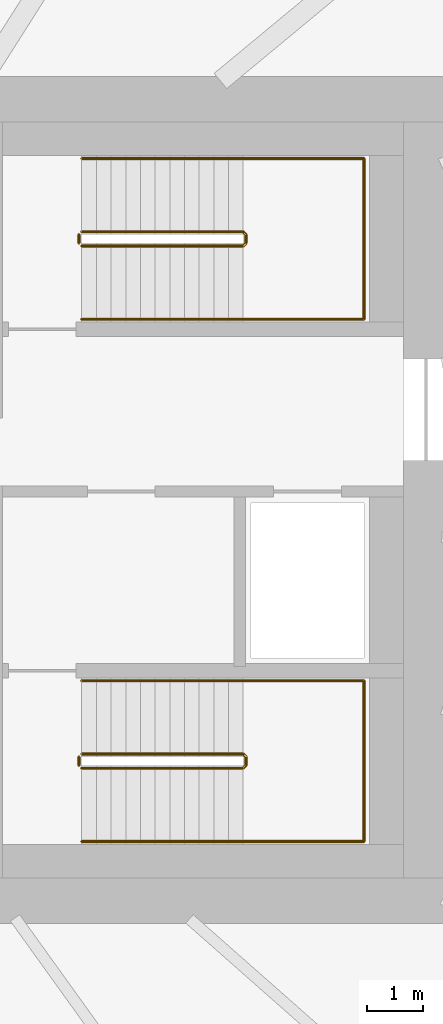
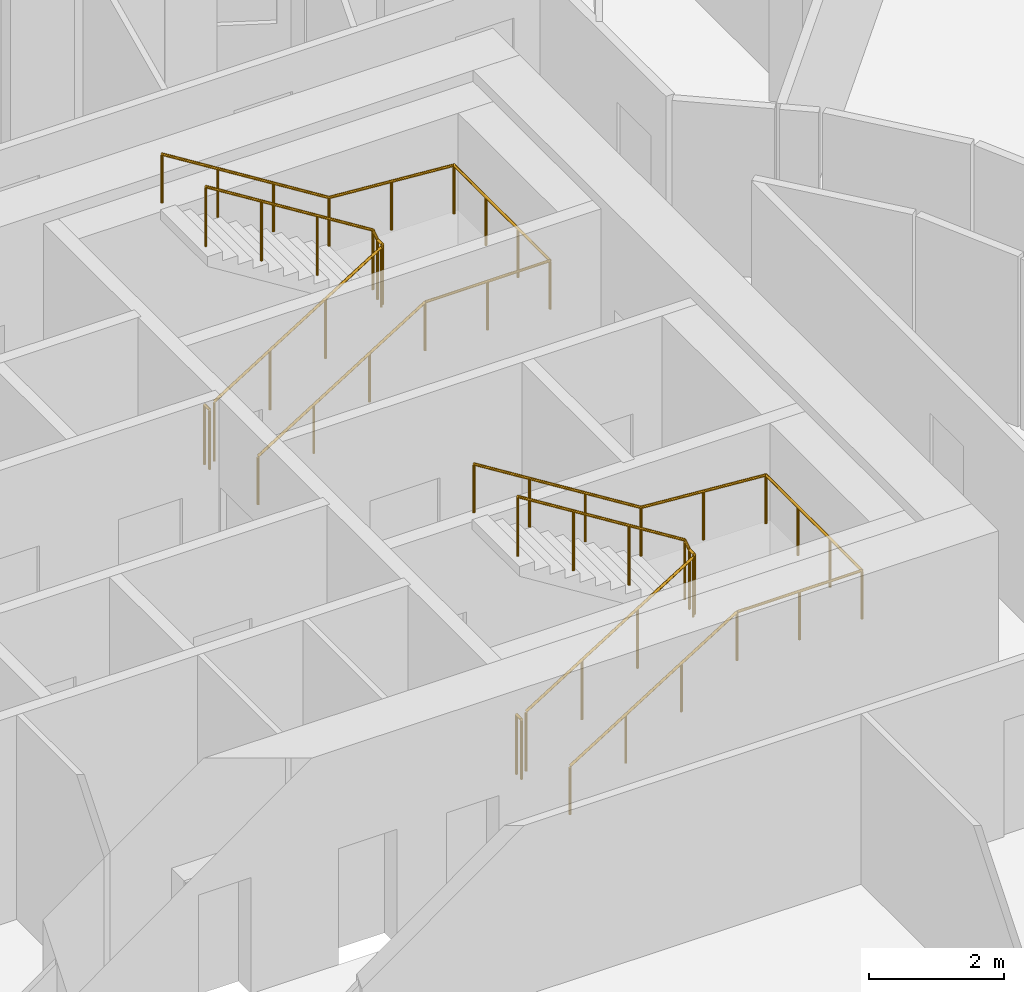
# One storey, part 13 of 13: 6 railings.
"""IFC4 building model written with IfcOpenShell, lengths in metres."""

from ifc_helpers import new_model, si_unit, direction, frame, origin, origin_2d, place, context, subcontext, project, spatial, circle, extrude, material, type_object, element, save


model = new_model("IFC4")

# Units and contexts
model_context = context("Model", 3, precision=1e-05, world=origin(), true_north=direction((0.0, 1.0)))
body_context = subcontext(model_context, "Body", "Model", "MODEL_VIEW")
ifc_project = project(units=[si_unit("LENGTHUNIT", "METRE"), si_unit("AREAUNIT", "SQUARE_METRE"), si_unit("VOLUMEUNIT", "CUBIC_METRE"), si_unit("PLANEANGLEUNIT", "RADIAN"), si_unit("MASSUNIT", "GRAM", prefix="KILO")], contexts=[model_context])

# Site, building, storey
site_placement = place(None, origin())
site = spatial("IfcSite", under=ifc_project, at=site_placement, CompositionType="ELEMENT")
building_placement = place(site_placement, origin())
building = spatial("IfcBuilding", under=site, at=building_placement, Name="Rubra Terraces Tower", CompositionType="ELEMENT")
storey_placement = place(building_placement, frame((0.0, 0.0, 233.10009765625)))
storey = spatial("IfcBuildingStorey", under=building, at=storey_placement, Name="L57", CompositionType="ELEMENT", Elevation=233.10009765625)

# Railings
ifc_material = material(Name="Stainless steel", Category="steel")
railing_type_1 = type_object("IfcRailingType", Name="Core stair guard 1100", PredefinedType="GUARDRAIL", material=ifc_material)
railing_1_placement = place(storey_placement, frame((6.5, 9.0, 0.162353515625)))
element("IfcRailing", 1, at=railing_1_placement, inside=storey, type_object=railing_type_1, Name="L57 stair S3 guard 1", PredefinedType="GUARDRAIL", context=body_context, shape_type="SweptSolid", body=[
    extrude(circle(Radius=0.02392578125, at=origin_2d()), frame((0.0, 0.0, 1.076171875), z_axis=(0.847994237388, 0.0, 0.530005446535), x_axis=(0.0, 1.0, 0.0)), (0.0, 0.0, 1.0), 3.372802734375),
    extrude(circle(Radius=0.02392578125, at=origin_2d()), frame((2.860107421875, 0.0, 2.86376953125), z_axis=(0.705375805398, 0.708833529934, 0.0), x_axis=(-0.708833529934, 0.705375805398, 0.0)), (0.0, 0.0, 1.0), 0.070556640625),
    extrude(circle(Radius=0.02392578125, at=origin_2d()), frame((2.909912109375, 0.050048828125, 2.86376953125), z_axis=(0.0, 1.0, 0.0), x_axis=(-1.0, 0.0, 0.0)), (0.0, 0.0, 1.0), 0.14990234375),
    extrude(circle(Radius=0.02392578125, at=origin_2d()), frame((2.909912109375, 0.199951171875, 2.86376953125), z_axis=(-0.281314826061, 0.282693820306, 0.917031173188), x_axis=(-0.708833529934, -0.705375805398, 0.0)), (0.0, 0.0, 1.0), 0.177001953125),
    extrude(circle(Radius=0.02392578125, at=origin_2d()), frame((2.860107421875, 0.25, 3.02587890625), z_axis=(-0.847994237388, 0.0, 0.530005446535), x_axis=(0.0, -1.0, 0.0)), (0.0, 0.0, 1.0), 3.372802734375),
    extrude(circle(Radius=0.02099609375, at=origin_2d()), origin(), (0.0, 0.0, 1.0), 1.052001953125),
    extrude(circle(Radius=0.02099609375, at=origin_2d()), frame((0.953369140625, 0.0, 0.595947265625)), (0.0, 0.0, 1.0), 1.052001953125),
    extrude(circle(Radius=0.02099609375, at=origin_2d()), frame((1.90673828125, 0.0, 1.191650390625)), (0.0, 0.0, 1.0), 1.052001953125),
    extrude(circle(Radius=0.02099609375, at=origin_2d()), frame((2.860107421875, 0.0, 1.78759765625)), (0.0, 0.0, 1.0), 1.052001953125),
    extrude(circle(Radius=0.02099609375, at=origin_2d()), frame((2.909912109375, 0.050048828125, 1.78759765625)), (0.0, 0.0, 1.0), 1.052001953125),
    extrude(circle(Radius=0.02099609375, at=origin_2d()), frame((2.909912109375, 0.199951171875, 1.78759765625)), (0.0, 0.0, 1.0), 1.052001953125),
    extrude(circle(Radius=0.02099609375, at=origin_2d()), frame((2.860107421875, 0.25, 1.949951171875)), (0.0, 0.0, 1.0), 1.052001953125),
    extrude(circle(Radius=0.02099609375, at=origin_2d()), frame((1.90673828125, 0.25, 2.5458984375)), (0.0, 0.0, 1.0), 1.052001953125),
    extrude(circle(Radius=0.02099609375, at=origin_2d()), frame((0.953369140625, 0.25, 3.1416015625)), (0.0, 0.0, 1.0), 1.052001953125),
    extrude(circle(Radius=0.02099609375, at=origin_2d()), frame((0.0, 0.25, 3.737548828125)), (0.0, 0.0, 1.0), 1.052001953125),
])
railing_2_placement = place(storey_placement, frame((6.449951171875, 9.050048828125, 0.0)))
element("IfcRailing", 2, at=railing_2_placement, inside=storey, type_object=railing_type_1, Name="L57 stair S3 guard 2", PredefinedType="GUARDRAIL", context=body_context, shape_type="SweptSolid", body=[
    extrude(circle(Radius=0.02392578125, at=origin_2d()), frame((0.0, 0.0, 1.076171875), z_axis=(0.0, 1.0, 0.0), x_axis=(-1.0, 0.0, 0.0)), (0.0, 0.0, 1.0), 0.14990234375),
    extrude(circle(Radius=0.02099609375, at=origin_2d()), origin(), (0.0, 0.0, 1.0), 1.052001953125),
    extrude(circle(Radius=0.02099609375, at=origin_2d()), frame((0.0, 0.14990234375, 0.0)), (0.0, 0.0, 1.0), 1.052001953125),
])
railing_3_placement = place(storey_placement, frame((6.5, -0.25, 0.162353515625)))
element("IfcRailing", 3, at=railing_3_placement, inside=storey, type_object=railing_type_1, Name="L57 stair S4 guard 1", PredefinedType="GUARDRAIL", context=body_context, shape_type="SweptSolid", body=[
    extrude(circle(Radius=0.02392578125, at=origin_2d()), frame((0.0, 0.0, 1.076171875), z_axis=(0.847994237388, 0.0, 0.530005446535), x_axis=(0.0, 1.0, 0.0)), (0.0, 0.0, 1.0), 3.372802734375),
    extrude(circle(Radius=0.02392578125, at=origin_2d()), frame((2.860107421875, 0.0, 2.86376953125), z_axis=(0.705375805398, 0.708833529934, 0.0), x_axis=(-0.708833529934, 0.705375805398, 0.0)), (0.0, 0.0, 1.0), 0.070556640625),
    extrude(circle(Radius=0.02392578125, at=origin_2d()), frame((2.909912109375, 0.050048828125, 2.86376953125), z_axis=(0.0, 1.0, 0.0), x_axis=(-1.0, 0.0, 0.0)), (0.0, 0.0, 1.0), 0.14990234375),
    extrude(circle(Radius=0.02392578125, at=origin_2d()), frame((2.909912109375, 0.199951171875, 2.86376953125), z_axis=(-0.281314826061, 0.282693820306, 0.917031173188), x_axis=(-0.708833529934, -0.705375805398, 0.0)), (0.0, 0.0, 1.0), 0.177001953125),
    extrude(circle(Radius=0.02392578125, at=origin_2d()), frame((2.860107421875, 0.25, 3.02587890625), z_axis=(-0.847994237388, 0.0, 0.530005446535), x_axis=(0.0, -1.0, 0.0)), (0.0, 0.0, 1.0), 3.372802734375),
    extrude(circle(Radius=0.02099609375, at=origin_2d()), origin(), (0.0, 0.0, 1.0), 1.052001953125),
    extrude(circle(Radius=0.02099609375, at=origin_2d()), frame((0.953369140625, 0.0, 0.595947265625)), (0.0, 0.0, 1.0), 1.052001953125),
    extrude(circle(Radius=0.02099609375, at=origin_2d()), frame((1.90673828125, 0.0, 1.191650390625)), (0.0, 0.0, 1.0), 1.052001953125),
    extrude(circle(Radius=0.02099609375, at=origin_2d()), frame((2.860107421875, 0.0, 1.78759765625)), (0.0, 0.0, 1.0), 1.052001953125),
    extrude(circle(Radius=0.02099609375, at=origin_2d()), frame((2.909912109375, 0.050048828125, 1.78759765625)), (0.0, 0.0, 1.0), 1.052001953125),
    extrude(circle(Radius=0.02099609375, at=origin_2d()), frame((2.909912109375, 0.199951171875, 1.78759765625)), (0.0, 0.0, 1.0), 1.052001953125),
    extrude(circle(Radius=0.02099609375, at=origin_2d()), frame((2.860107421875, 0.25, 1.949951171875)), (0.0, 0.0, 1.0), 1.052001953125),
    extrude(circle(Radius=0.02099609375, at=origin_2d()), frame((1.90673828125, 0.25, 2.5458984375)), (0.0, 0.0, 1.0), 1.052001953125),
    extrude(circle(Radius=0.02099609375, at=origin_2d()), frame((0.953369140625, 0.25, 3.1416015625)), (0.0, 0.0, 1.0), 1.052001953125),
    extrude(circle(Radius=0.02099609375, at=origin_2d()), frame((0.0, 0.25, 3.737548828125)), (0.0, 0.0, 1.0), 1.052001953125),
])
railing_4_placement = place(storey_placement, frame((6.449951171875, -0.199951171875, 0.0)))
element("IfcRailing", 4, at=railing_4_placement, inside=storey, type_object=railing_type_1, Name="L57 stair S4 guard 2", PredefinedType="GUARDRAIL", context=body_context, shape_type="SweptSolid", body=[
    extrude(circle(Radius=0.02392578125, at=origin_2d()), frame((0.0, 0.0, 1.076171875), z_axis=(0.0, 1.0, 0.0), x_axis=(-1.0, 0.0, 0.0)), (0.0, 0.0, 1.0), 0.14990234375),
    extrude(circle(Radius=0.02099609375, at=origin_2d()), origin(), (0.0, 0.0, 1.0), 1.052001953125),
    extrude(circle(Radius=0.02099609375, at=origin_2d()), frame((0.0, 0.14990234375, 0.0)), (0.0, 0.0, 1.0), 1.052001953125),
])
railing_type_2 = type_object("IfcRailingType", Name="Core stair handrail 900", PredefinedType="HANDRAIL", material=ifc_material)
railing_5_placement = place(storey_placement, frame((6.5, 7.699951171875, 0.162353515625)))
element("IfcRailing", 5, at=railing_5_placement, inside=storey, type_object=railing_type_2, Name="L57 stair S3 handrail 1", PredefinedType="HANDRAIL", context=body_context, shape_type="SweptSolid", body=[
    extrude(circle(Radius=0.02392578125, at=origin_2d()), frame((0.0, 0.0, 0.8759765625), z_axis=(0.847994237388, 0.0, 0.530005446535), x_axis=(0.0, 1.0, 0.0)), (0.0, 0.0, 1.0), 3.372802734375),
    extrude(circle(Radius=0.02392578125, at=origin_2d()), frame((2.860107421875, 0.0, 2.66357421875), z_axis=(1.0, 0.0, 0.0), x_axis=(0.0, 1.0, 0.0)), (0.0, 0.0, 1.0), 2.139892578125),
    extrude(circle(Radius=0.02392578125, at=origin_2d()), frame((5.0, 0.0, 2.66357421875), z_axis=(0.0, 1.0, 0.0), x_axis=(-1.0, 0.0, 0.0)), (0.0, 0.0, 1.0), 2.85009765625),
    extrude(circle(Radius=0.02392578125, at=origin_2d()), frame((5.0, 2.85009765625, 2.66357421875), z_axis=(-0.9971342424, 0.0, 0.075652512401), x_axis=(0.0, -1.0, 0.0)), (0.0, 0.0, 1.0), 2.14599609375),
    extrude(circle(Radius=0.02392578125, at=origin_2d()), frame((2.860107421875, 2.85009765625, 2.82568359375), z_axis=(-0.847994237388, 0.0, 0.530005446535), x_axis=(0.0, -1.0, 0.0)), (0.0, 0.0, 1.0), 3.372802734375),
    extrude(circle(Radius=0.02099609375, at=origin_2d()), origin(), (0.0, 0.0, 1.0), 0.851806640625),
    extrude(circle(Radius=0.02099609375, at=origin_2d()), frame((0.953369140625, 0.0, 0.595947265625)), (0.0, 0.0, 1.0), 0.851806640625),
    extrude(circle(Radius=0.02099609375, at=origin_2d()), frame((1.90673828125, 0.0, 1.191650390625)), (0.0, 0.0, 1.0), 0.851806640625),
    extrude(circle(Radius=0.02099609375, at=origin_2d()), frame((2.860107421875, 0.0, 1.78759765625)), (0.0, 0.0, 1.0), 0.851806640625),
    extrude(circle(Radius=0.02099609375, at=origin_2d()), frame((3.93017578125, 0.0, 1.78759765625)), (0.0, 0.0, 1.0), 0.851806640625),
    extrude(circle(Radius=0.02099609375, at=origin_2d()), frame((5.0, 0.0, 1.78759765625)), (0.0, 0.0, 1.0), 0.851806640625),
    extrude(circle(Radius=0.02099609375, at=origin_2d()), frame((5.0, 0.949951171875, 1.78759765625)), (0.0, 0.0, 1.0), 0.851806640625),
    extrude(circle(Radius=0.02099609375, at=origin_2d()), frame((5.0, 1.900146484375, 1.78759765625)), (0.0, 0.0, 1.0), 0.851806640625),
    extrude(circle(Radius=0.02099609375, at=origin_2d()), frame((5.0, 2.85009765625, 1.78759765625)), (0.0, 0.0, 1.0), 0.851806640625),
    extrude(circle(Radius=0.02099609375, at=origin_2d()), frame((3.93017578125, 2.85009765625, 1.86865234375)), (0.0, 0.0, 1.0), 0.851806640625),
    extrude(circle(Radius=0.02099609375, at=origin_2d()), frame((2.860107421875, 2.85009765625, 1.949951171875)), (0.0, 0.0, 1.0), 0.851806640625),
    extrude(circle(Radius=0.02099609375, at=origin_2d()), frame((1.90673828125, 2.85009765625, 2.5458984375)), (0.0, 0.0, 1.0), 0.851806640625),
    extrude(circle(Radius=0.02099609375, at=origin_2d()), frame((0.953369140625, 2.85009765625, 3.1416015625)), (0.0, 0.0, 1.0), 0.851806640625),
    extrude(circle(Radius=0.02099609375, at=origin_2d()), frame((0.0, 2.85009765625, 3.737548828125)), (0.0, 0.0, 1.0), 0.851806640625),
])
railing_6_placement = place(storey_placement, frame((6.5, -1.550048828125, 0.162353515625)))
element("IfcRailing", 6, at=railing_6_placement, inside=storey, type_object=railing_type_2, Name="L57 stair S4 handrail 1", PredefinedType="HANDRAIL", context=body_context, shape_type="SweptSolid", body=[
    extrude(circle(Radius=0.02392578125, at=origin_2d()), frame((0.0, 0.0, 0.8759765625), z_axis=(0.847994237388, 0.0, 0.530005446535), x_axis=(0.0, 1.0, 0.0)), (0.0, 0.0, 1.0), 3.372802734375),
    extrude(circle(Radius=0.02392578125, at=origin_2d()), frame((2.860107421875, 0.0, 2.66357421875), z_axis=(1.0, 0.0, 0.0), x_axis=(0.0, 1.0, 0.0)), (0.0, 0.0, 1.0), 2.139892578125),
    extrude(circle(Radius=0.02392578125, at=origin_2d()), frame((5.0, 0.0, 2.66357421875), z_axis=(0.0, 1.0, 0.0), x_axis=(-1.0, 0.0, 0.0)), (0.0, 0.0, 1.0), 2.85009765625),
    extrude(circle(Radius=0.02392578125, at=origin_2d()), frame((5.0, 2.85009765625, 2.66357421875), z_axis=(-0.9971342424, 0.0, 0.075652512401), x_axis=(0.0, -1.0, 0.0)), (0.0, 0.0, 1.0), 2.14599609375),
    extrude(circle(Radius=0.02392578125, at=origin_2d()), frame((2.860107421875, 2.85009765625, 2.82568359375), z_axis=(-0.847994237388, 0.0, 0.530005446535), x_axis=(0.0, -1.0, 0.0)), (0.0, 0.0, 1.0), 3.372802734375),
    extrude(circle(Radius=0.02099609375, at=origin_2d()), origin(), (0.0, 0.0, 1.0), 0.851806640625),
    extrude(circle(Radius=0.02099609375, at=origin_2d()), frame((0.953369140625, 0.0, 0.595947265625)), (0.0, 0.0, 1.0), 0.851806640625),
    extrude(circle(Radius=0.02099609375, at=origin_2d()), frame((1.90673828125, 0.0, 1.191650390625)), (0.0, 0.0, 1.0), 0.851806640625),
    extrude(circle(Radius=0.02099609375, at=origin_2d()), frame((2.860107421875, 0.0, 1.78759765625)), (0.0, 0.0, 1.0), 0.851806640625),
    extrude(circle(Radius=0.02099609375, at=origin_2d()), frame((3.93017578125, 0.0, 1.78759765625)), (0.0, 0.0, 1.0), 0.851806640625),
    extrude(circle(Radius=0.02099609375, at=origin_2d()), frame((5.0, 0.0, 1.78759765625)), (0.0, 0.0, 1.0), 0.851806640625),
    extrude(circle(Radius=0.02099609375, at=origin_2d()), frame((5.0, 0.949951171875, 1.78759765625)), (0.0, 0.0, 1.0), 0.851806640625),
    extrude(circle(Radius=0.02099609375, at=origin_2d()), frame((5.0, 1.900146484375, 1.78759765625)), (0.0, 0.0, 1.0), 0.851806640625),
    extrude(circle(Radius=0.02099609375, at=origin_2d()), frame((5.0, 2.85009765625, 1.78759765625)), (0.0, 0.0, 1.0), 0.851806640625),
    extrude(circle(Radius=0.02099609375, at=origin_2d()), frame((3.93017578125, 2.85009765625, 1.86865234375)), (0.0, 0.0, 1.0), 0.851806640625),
    extrude(circle(Radius=0.02099609375, at=origin_2d()), frame((2.860107421875, 2.85009765625, 1.949951171875)), (0.0, 0.0, 1.0), 0.851806640625),
    extrude(circle(Radius=0.02099609375, at=origin_2d()), frame((1.90673828125, 2.85009765625, 2.5458984375)), (0.0, 0.0, 1.0), 0.851806640625),
    extrude(circle(Radius=0.02099609375, at=origin_2d()), frame((0.953369140625, 2.85009765625, 3.1416015625)), (0.0, 0.0, 1.0), 0.851806640625),
    extrude(circle(Radius=0.02099609375, at=origin_2d()), frame((0.0, 2.85009765625, 3.737548828125)), (0.0, 0.0, 1.0), 0.851806640625),
])

save(model, "model.ifc")
